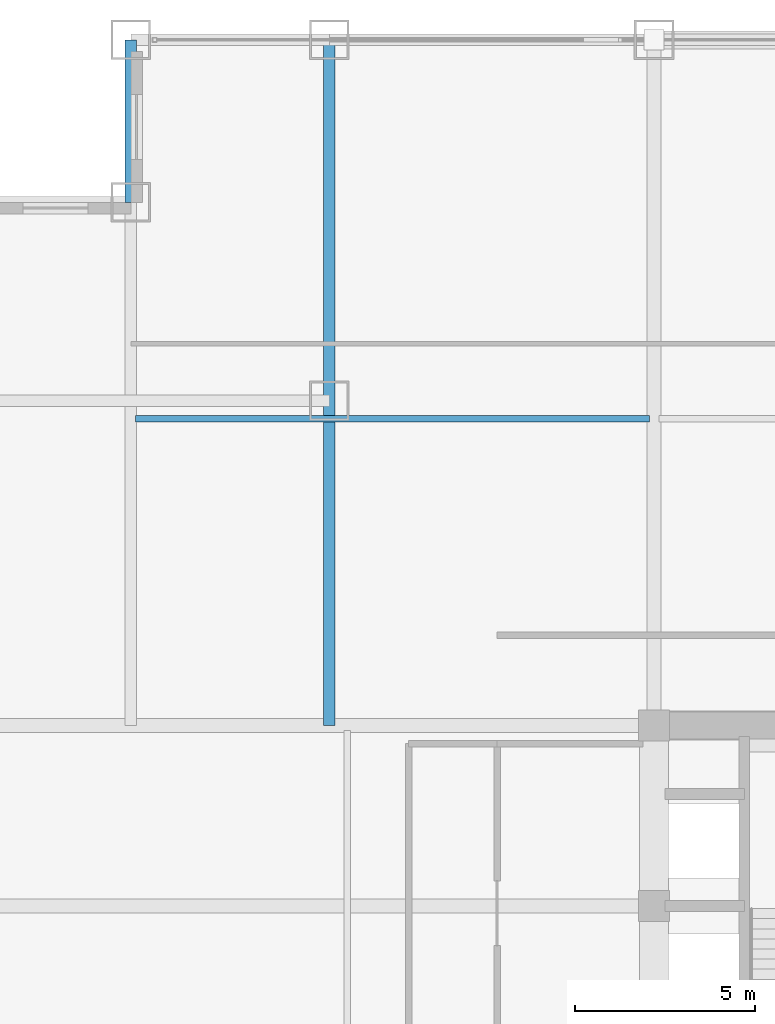
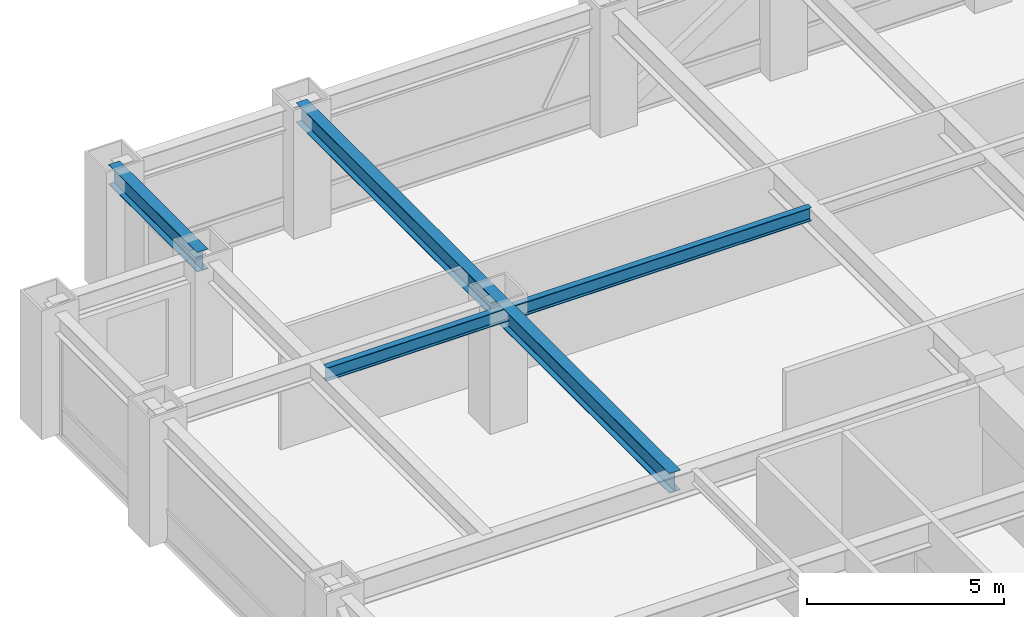
# One storey, part 13 of 25: 3 beams.
"""IFC4 building model written with IfcOpenShell, lengths in metres."""

from ifc_helpers import new_model, si_unit, direction, frame, origin, origin_2d, place, context, subcontext, project, spatial, i_section, extrude, source, transform, mapped, material, material_profile, profile_set, type_object, element, save


model = new_model("IFC4")

# Units and contexts
model_context = context("Model", 3, precision=1e-05, world=origin(), true_north=direction((0.0, 1.0)))
body_context = subcontext(model_context, "Body", "Model", "MODEL_VIEW")
ifc_project = project(units=[si_unit("LENGTHUNIT", "METRE"), si_unit("AREAUNIT", "SQUARE_METRE"), si_unit("VOLUMEUNIT", "CUBIC_METRE"), si_unit("PLANEANGLEUNIT", "RADIAN"), si_unit("MASSUNIT", "GRAM", prefix="KILO")], contexts=[model_context])

# Site, building, storey
site_placement = place(None, origin())
site = spatial("IfcSite", under=ifc_project, at=site_placement, CompositionType="ELEMENT")
building_placement = place(site_placement, origin())
building = spatial("IfcBuilding", under=site, at=building_placement, Name="Khorayat Bourse Tower", CompositionType="ELEMENT")
storey_placement = place(building_placement, frame((0.0, 0.0, 195.10009765625)))
storey = spatial("IfcBuildingStorey", under=building, at=storey_placement, Name="L45", CompositionType="ELEMENT", Elevation=195.10009765625)

# Beams
ifc_material = material(Name="Steel ASTM A992 Grade 50", Category="steel")
ifc_material_profile_1 = material_profile(ifc_material, i_section(OverallWidth=0.324951171875, OverallDepth=0.615966796875, WebThickness=0.013916015625, FlangeThickness=0.021484375, FilletRadius=0.01611328125, at=origin_2d()), Name="W610X174")
ifc_profile_set_1 = profile_set([ifc_material_profile_1], Name="Steel ASTM A992 Grade 50")
beam_type_1 = type_object("IfcBeamType", Name="BM-GIRD-610", PredefinedType="BEAM", material=ifc_profile_set_1)
shared_shape_1 = source(origin(), body_context, "Body", "SweptSolid", [
    extrude(i_section(OverallWidth=0.324951171875, OverallDepth=0.615966796875, WebThickness=0.013916015625, FlangeThickness=0.021484375, FilletRadius=0.01611328125, at=origin_2d()), origin(), (0.0, 0.0, 1.0), 19.0),
])
beam_1_placement = place(storey_placement, frame((-20.0, 11.0, 3.471923828125), z_axis=(0.0, 1.0, 0.0), x_axis=(-1.0, 0.0, 0.0)))
element("IfcBeam", 1, at=beam_1_placement, inside=storey, type_object=beam_type_1, Name="L45 BM-GIRD-610 BM-L45-CNRY-085", PredefinedType="BEAM", context=body_context, shape_type="MappedRepresentation", body=[
    mapped(shared_shape_1, transform((0.0, 0.0, 0.0), scale=1.0)),
])
ifc_material_profile_2 = material_profile(ifc_material, i_section(OverallWidth=0.180908203125, OverallDepth=0.4169921875, WebThickness=0.010986328125, FlangeThickness=0.018310546875, FilletRadius=0.011962890625, at=origin_2d()), Name="W410X85")
ifc_profile_set_2 = profile_set([ifc_material_profile_2], Name="Steel ASTM A992 Grade 50")
beam_type_2 = type_object("IfcBeamType", Name="BM-JOIST-410", PredefinedType="JOIST", material=ifc_profile_set_2)
shared_shape_2 = source(origin(), body_context, "Body", "SweptSolid", [
    extrude(i_section(OverallWidth=0.180908203125, OverallDepth=0.4169921875, WebThickness=0.010986328125, FlangeThickness=0.018310546875, FilletRadius=0.011962890625, at=origin_2d()), origin(), (0.0, 0.0, 1.0), 14.240234375),
])
beam_2_placement = place(storey_placement, frame((-25.3701171875, 19.5, 3.5712890625), z_axis=(1.0, 0.0, 0.0), x_axis=(0.0, 1.0, 0.0)))
element("IfcBeam", 2, at=beam_2_placement, inside=storey, type_object=beam_type_2, Name="L45 BM-JOIST-410 BM-L45-JSTX-099", PredefinedType="JOIST", context=body_context, shape_type="MappedRepresentation", body=[
    mapped(shared_shape_2, transform((0.0, 0.0, 0.0), scale=1.0)),
])
ifc_material_profile_3 = material_profile(ifc_material, i_section(OverallWidth=0.324951171875, OverallDepth=0.615966796875, WebThickness=0.013916015625, FlangeThickness=0.021484375, FilletRadius=0.01611328125, at=origin_2d()), Name="W610X174")
ifc_profile_set_3 = profile_set([ifc_material_profile_3], Name="Steel ASTM A992 Grade 50")
beam_type_3 = type_object("IfcBeamType", Name="BM-SPAN-610", PredefinedType="SPANDREL", material=ifc_profile_set_3)
shared_shape_3 = source(origin(), body_context, "Body", "SweptSolid", [
    extrude(i_section(OverallWidth=0.324951171875, OverallDepth=0.615966796875, WebThickness=0.013916015625, FlangeThickness=0.021484375, FilletRadius=0.01611328125, at=origin_2d()), origin(), (0.0, 0.0, 1.0), 4.5),
])
beam_3_placement = place(storey_placement, frame((-25.5, 25.5, 3.471923828125), z_axis=(0.0, 1.0, 0.0), x_axis=(-1.0, 0.0, 0.0)))
element("IfcBeam", 3, at=beam_3_placement, inside=storey, type_object=beam_type_3, Name="L45 BM-SPAN-610 BM-L45-SPN-052", PredefinedType="SPANDREL", context=body_context, shape_type="MappedRepresentation", body=[
    mapped(shared_shape_3, transform((0.0, 0.0, 0.0), scale=1.0)),
])

save(model, "model.ifc")
